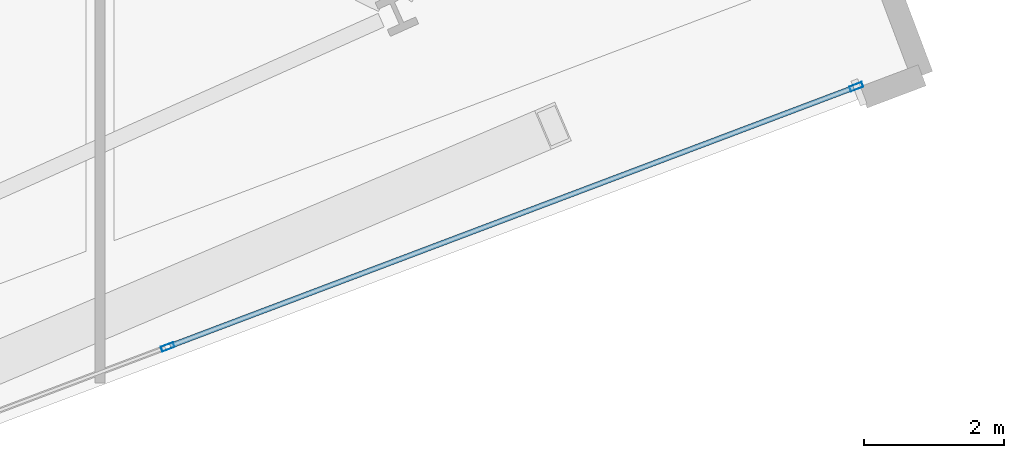
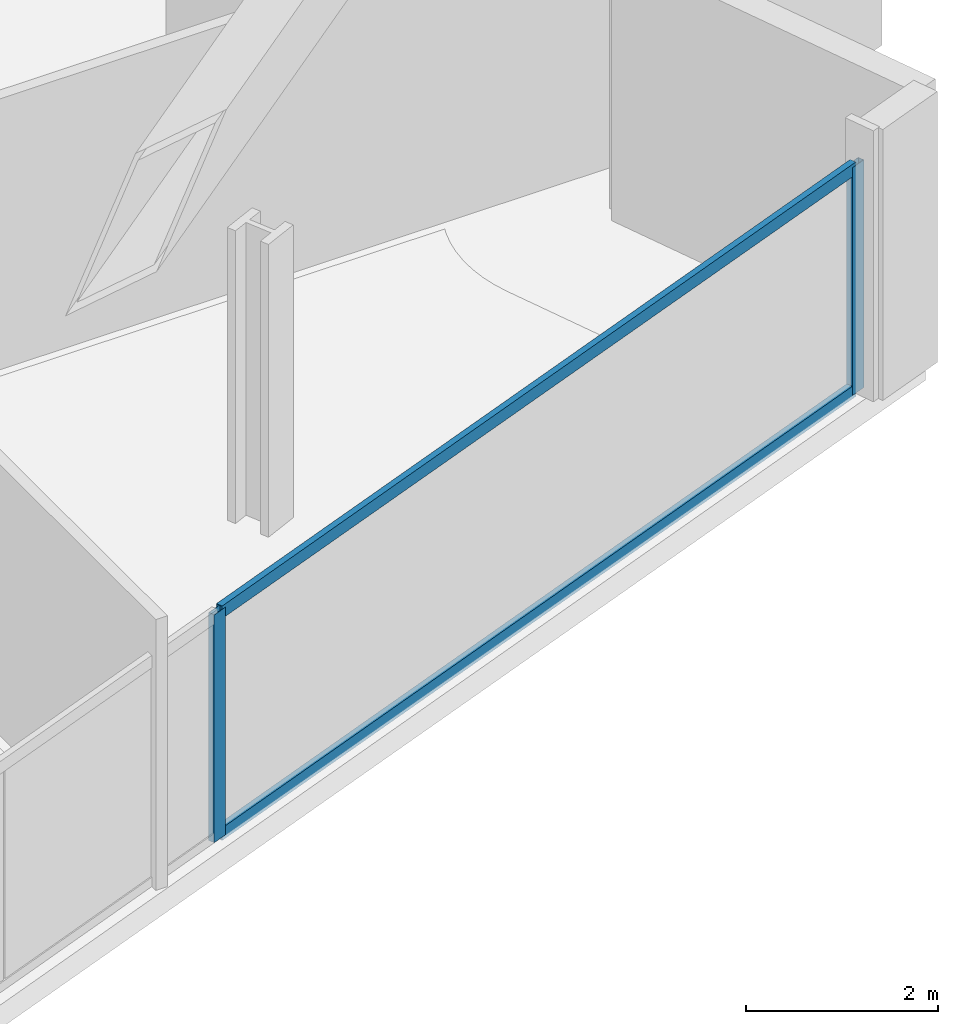
# One storey, part 11 of 37: 4 members, 1 element without a shape of its own.
"""IFC4 building model written with IfcOpenShell, lengths in metres."""

from ifc_helpers import new_model, si_unit, direction, frame, origin, origin_2d, place, context, subcontext, project, spatial, hollow_rectangle, extrude, material, material_profile, profile_set, type_object, element, aggregate, save


model = new_model("IFC4")

# Units and contexts
model_context = context("Model", 3, precision=1e-05, world=origin(), true_north=direction((0.0, 1.0)))
body_context = subcontext(model_context, "Body", "Model", "MODEL_VIEW")
ifc_project = project(units=[si_unit("LENGTHUNIT", "METRE"), si_unit("AREAUNIT", "SQUARE_METRE"), si_unit("VOLUMEUNIT", "CUBIC_METRE"), si_unit("PLANEANGLEUNIT", "RADIAN"), si_unit("MASSUNIT", "GRAM", prefix="KILO")], contexts=[model_context])

# Site, building, storey
site_placement = place(None, origin())
site = spatial("IfcSite", under=ifc_project, at=site_placement, CompositionType="ELEMENT")
building_placement = place(site_placement, origin())
building = spatial("IfcBuilding", under=site, at=building_placement, Name="Haldenkirk Collegiate Tower", CompositionType="ELEMENT")
storey_placement = place(building_placement, frame((0.0, 0.0, 97.949951171875)))
storey = spatial("IfcBuildingStorey", under=building, at=storey_placement, Name="L23", CompositionType="ELEMENT", Elevation=97.949951171875)

# Curtain wall, members
ifc_material = material(Name="Anodised architectural bronze aluminium", Category="aluminium")
curtain_wall_type = type_object("IfcCurtainWallType", Name="CW-SYS2-CONCAVE", PredefinedType="USERDEFINED", material=ifc_material)
curtain_wall_placement = place(storey_placement, origin())
curtain_wall = element("IfcCurtainWall", 1, at=curtain_wall_placement, inside=storey, type_object=curtain_wall_type, Name="L23 South concave recessed bronze-anodised curtain wall", ObjectType="UNITISED CURTAIN WALL", PredefinedType="USERDEFINED")
ifc_material_profile_1 = material_profile(ifc_material, hollow_rectangle(XDim=0.074951171875, YDim=0.18994140625, WallThickness=0.0048828125, at=origin_2d()), Name="CW-MUL-02")
ifc_profile_set_1 = profile_set([ifc_material_profile_1], Name="Anodised architectural bronze aluminium")
member_type_1 = type_object("IfcMemberType", Name="CW-MUL-02", PredefinedType="MULLION", material=ifc_profile_set_1)
member_1_placement = place(storey_placement, frame((64.29931640625, 10.695068359375, 0.0), z_axis=(0.0, 0.0, 1.0), x_axis=(0.353476419489, -0.935443435417, 0.0)))
member_1 = element("IfcMember", 2, at=member_1_placement, type_object=member_type_1, Name="CW-02 mullion 1", PredefinedType="MULLION", context=body_context, shape_type="SweptSolid", body=[
    extrude(hollow_rectangle(XDim=0.074951171875, YDim=0.18994140625, WallThickness=0.0048828125, at=origin_2d()), origin(), (0.0, 0.0, 1.0), 2.901123046875),
])
member_2_placement = place(storey_placement, frame((54.465576171875, 6.979248046875, 0.0), z_axis=(0.0, 0.0, 1.0), x_axis=(0.353476419489, -0.935443435417, 0.0)))
member_2 = element("IfcMember", 3, at=member_2_placement, type_object=member_type_1, Name="CW-02 mullion 2", PredefinedType="MULLION", context=body_context, shape_type="SweptSolid", body=[
    extrude(hollow_rectangle(XDim=0.074951171875, YDim=0.18994140625, WallThickness=0.0048828125, at=origin_2d()), origin(), (0.0, 0.0, 1.0), 2.901123046875),
])
ifc_material_profile_2 = material_profile(ifc_material, hollow_rectangle(XDim=0.074951171875, YDim=0.159912109375, WallThickness=0.0048828125, at=origin_2d()), Name="CW-TRN-02")
ifc_profile_set_2 = profile_set([ifc_material_profile_2], Name="Anodised architectural bronze aluminium")
member_type_2 = type_object("IfcMemberType", Name="CW-TRN-02", PredefinedType="USERDEFINED", material=ifc_profile_set_2)
member_3_placement = place(storey_placement, frame((64.26416015625, 10.681884765625, 0.03759765625), z_axis=(-0.935441846055, -0.353480625565, 0.0), x_axis=(0.353480625565, -0.935441846055, 0.0)))
member_3 = element("IfcMember", 4, at=member_3_placement, type_object=member_type_2, Name="CW-02 transom 1.1", ObjectType="TRANSOM", PredefinedType="USERDEFINED", context=body_context, shape_type="SweptSolid", body=[
    extrude(hollow_rectangle(XDim=0.074951171875, YDim=0.159912109375, WallThickness=0.0048828125, at=origin_2d()), origin(), (0.0, 0.0, 1.0), 10.4375),
])
member_4_placement = place(storey_placement, frame((64.26416015625, 10.681884765625, 2.863525390625), z_axis=(-0.935441846055, -0.353480625565, 0.0), x_axis=(0.353480625565, -0.935441846055, 0.0)))
member_4 = element("IfcMember", 5, at=member_4_placement, type_object=member_type_2, Name="CW-02 transom 1.2", ObjectType="TRANSOM", PredefinedType="USERDEFINED", context=body_context, shape_type="SweptSolid", body=[
    extrude(hollow_rectangle(XDim=0.074951171875, YDim=0.159912109375, WallThickness=0.0048828125, at=origin_2d()), origin(), (0.0, 0.0, 1.0), 10.4375),
])
aggregate(curtain_wall, [member_1, member_2, member_3, member_4])

save(model, "model.ifc")
